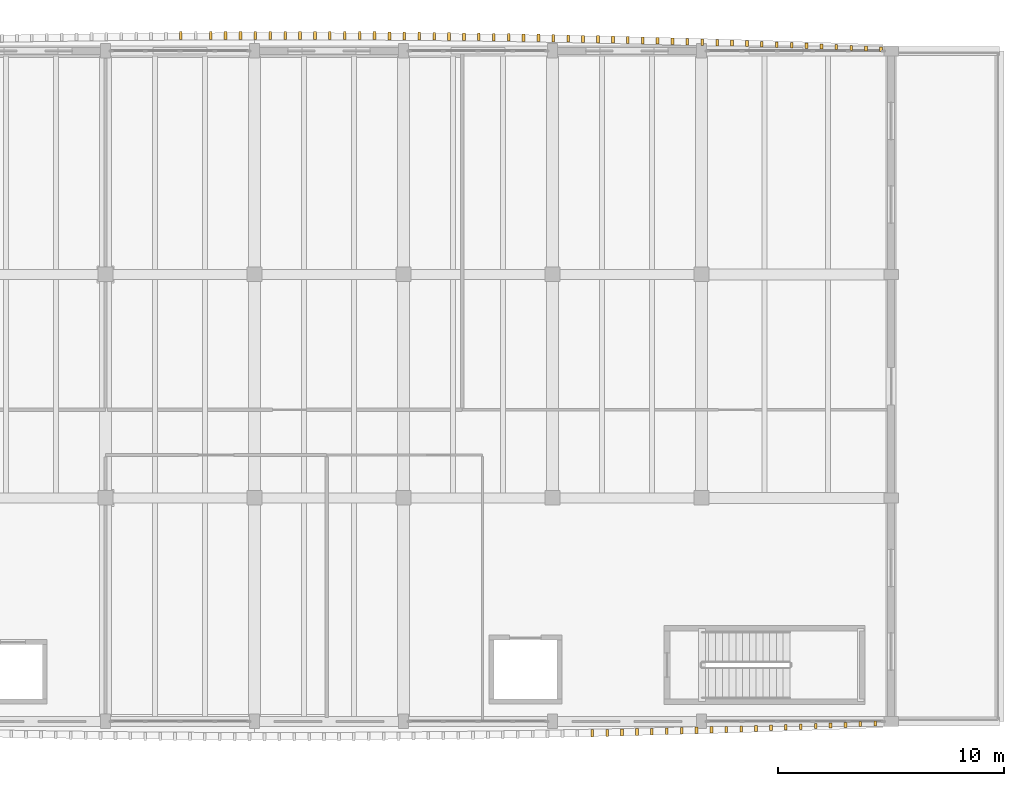
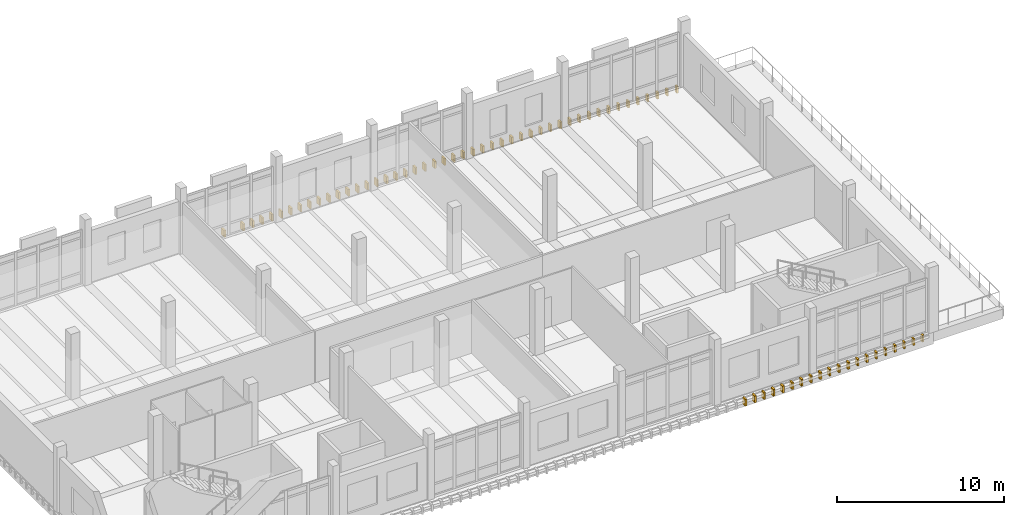
# One storey, part 39 of 39: 67 coverings.
"""IFC4 building model written with IfcOpenShell, lengths in metres."""

from ifc_helpers import new_model, si_unit, direction, frame, origin, origin_2d, place, context, subcontext, project, spatial, rectangle, extrude, material, layer, layer_set, type_object, element, save


model = new_model("IFC4")

# Units and contexts
model_context = context("Model", 3, precision=1e-05, world=origin(), true_north=direction((0.0, 1.0)))
body_context = subcontext(model_context, "Body", "Model", "MODEL_VIEW")
ifc_project = project(units=[si_unit("LENGTHUNIT", "METRE"), si_unit("AREAUNIT", "SQUARE_METRE"), si_unit("VOLUMEUNIT", "CUBIC_METRE"), si_unit("PLANEANGLEUNIT", "RADIAN"), si_unit("MASSUNIT", "GRAM", prefix="KILO")], contexts=[model_context])

# Site, building, storey
site_placement = place(None, origin())
site = spatial("IfcSite", under=ifc_project, at=site_placement, CompositionType="ELEMENT")
building_placement = place(site_placement, origin())
building = spatial("IfcBuilding", under=site, at=building_placement, Name="Dornvale Research Institute", CompositionType="ELEMENT")
storey_placement = place(building_placement, frame((0.0, 0.0, 24.60009765625)))
storey = spatial("IfcBuildingStorey", under=building, at=storey_placement, Name="L05", CompositionType="ELEMENT", Elevation=24.60009765625)

# Coverings
ifc_material = material(Name="Polychrome Glazed Terracotta Visor Rib Ceramic", Category="masonry")
ifc_layer = layer(ifc_material, 0.1201171875)
ifc_layer_set = layer_set([ifc_layer], Name="Polychrome Glazed Terracotta Visor Rib Ceramic")
covering_type = type_object("IfcCoveringType", Name="Covering_VisorBlade_Low", PredefinedType="CLADDING", material=ifc_layer_set)
covering_1_placement = place(storey_placement, frame((160.16162109375, 91.876953125, -0.489990234375), z_axis=(0.0, 0.0, 1.0), x_axis=(0.0, 1.0, 0.0)))
element("IfcCovering", 1, at=covering_1_placement, inside=storey, type_object=covering_type, Name="L05 V4 canted glazed terracotta visor blade #2873", PredefinedType="CLADDING", context=body_context, shape_type="SweptSolid", body=[
    extrude(rectangle(XDim=0.318115234375, YDim=0.1201171875, at=origin_2d()), origin(), (0.0, 0.0, 1.0), 0.5),
])
covering_2_placement = place(storey_placement, frame((160.821533203125, 91.893798828125, -0.489990234375), z_axis=(0.0, 0.0, 1.0), x_axis=(0.0, 1.0, 0.0)))
element("IfcCovering", 2, at=covering_2_placement, inside=storey, type_object=covering_type, Name="L05 V4 canted glazed terracotta visor blade #2874", PredefinedType="CLADDING", context=body_context, shape_type="SweptSolid", body=[
    extrude(rectangle(XDim=0.31298828125, YDim=0.1201171875, at=origin_2d()), origin(), (0.0, 0.0, 1.0), 0.5),
])
covering_3_placement = place(storey_placement, frame((161.481201171875, 91.910400390625, -0.489990234375), z_axis=(0.0, 0.0, 1.0), x_axis=(0.0, 1.0, 0.0)))
element("IfcCovering", 3, at=covering_3_placement, inside=storey, type_object=covering_type, Name="L05 V4 canted glazed terracotta visor blade #2875", PredefinedType="CLADDING", context=body_context, shape_type="SweptSolid", body=[
    extrude(rectangle(XDim=0.30908203125, YDim=0.1201171875, at=origin_2d()), origin(), (0.0, 0.0, 1.0), 0.5),
])
covering_4_placement = place(storey_placement, frame((162.14111328125, 91.927734375, -0.489990234375), z_axis=(0.0, 0.0, 1.0), x_axis=(0.0, 1.0, 0.0)))
element("IfcCovering", 4, at=covering_4_placement, inside=storey, type_object=covering_type, Name="L05 V4 canted glazed terracotta visor blade #2876", PredefinedType="CLADDING", context=body_context, shape_type="SweptSolid", body=[
    extrude(rectangle(XDim=0.304931640625, YDim=0.1201171875, at=origin_2d()), origin(), (0.0, 0.0, 1.0), 0.5),
])
covering_5_placement = place(storey_placement, frame((162.80078125, 91.9462890625, -0.489990234375), z_axis=(0.0, 0.0, 1.0), x_axis=(0.0, 1.0, 0.0)))
element("IfcCovering", 5, at=covering_5_placement, inside=storey, type_object=covering_type, Name="L05 V4 canted glazed terracotta visor blade #2877", PredefinedType="CLADDING", context=body_context, shape_type="SweptSolid", body=[
    extrude(rectangle(XDim=0.300048828125, YDim=0.1201171875, at=origin_2d()), origin(), (0.0, 0.0, 1.0), 0.5),
])
covering_6_placement = place(storey_placement, frame((163.460693359375, 91.96484375, -0.489990234375), z_axis=(0.0, 0.0, 1.0), x_axis=(0.0, 1.0, 0.0)))
element("IfcCovering", 6, at=covering_6_placement, inside=storey, type_object=covering_type, Name="L05 V4 canted glazed terracotta visor blade #2878", PredefinedType="CLADDING", context=body_context, shape_type="SweptSolid", body=[
    extrude(rectangle(XDim=0.294921875, YDim=0.1201171875, at=origin_2d()), origin(), (0.0, 0.0, 1.0), 0.5),
])
covering_7_placement = place(storey_placement, frame((164.12060546875, 91.985107421875, -0.489990234375), z_axis=(0.0, 0.0, 1.0), x_axis=(0.0, 1.0, 0.0)))
element("IfcCovering", 7, at=covering_7_placement, inside=storey, type_object=covering_type, Name="L05 V4 canted glazed terracotta visor blade #2879", PredefinedType="CLADDING", context=body_context, shape_type="SweptSolid", body=[
    extrude(rectangle(XDim=0.2900390625, YDim=0.1201171875, at=origin_2d()), origin(), (0.0, 0.0, 1.0), 0.5),
])
covering_8_placement = place(storey_placement, frame((164.7802734375, 92.00537109375, -0.489990234375), z_axis=(0.0, 0.0, 1.0), x_axis=(0.0, 1.0, 0.0)))
element("IfcCovering", 8, at=covering_8_placement, inside=storey, type_object=covering_type, Name="L05 V4 canted glazed terracotta visor blade #2880", PredefinedType="CLADDING", context=body_context, shape_type="SweptSolid", body=[
    extrude(rectangle(XDim=0.284912109375, YDim=0.1201171875, at=origin_2d()), origin(), (0.0, 0.0, 1.0), 0.5),
])
covering_9_placement = place(storey_placement, frame((165.43994140625, 92.0263671875, -0.489990234375), z_axis=(0.0, 0.0, 1.0), x_axis=(0.0, 1.0, 0.0)))
element("IfcCovering", 9, at=covering_9_placement, inside=storey, type_object=covering_type, Name="L05 V4 canted glazed terracotta visor blade #2881", PredefinedType="CLADDING", context=body_context, shape_type="SweptSolid", body=[
    extrude(rectangle(XDim=0.280029296875, YDim=0.1201171875, at=origin_2d()), origin(), (0.0, 0.0, 1.0), 0.5),
])
covering_10_placement = place(storey_placement, frame((166.099609375, 92.048583984375, -0.489990234375), z_axis=(0.0, 0.0, 1.0), x_axis=(0.0, 1.0, 0.0)))
element("IfcCovering", 10, at=covering_10_placement, inside=storey, type_object=covering_type, Name="L05 V4 canted glazed terracotta visor blade #2882", PredefinedType="CLADDING", context=body_context, shape_type="SweptSolid", body=[
    extrude(rectangle(XDim=0.27392578125, YDim=0.1201171875, at=origin_2d()), origin(), (0.0, 0.0, 1.0), 0.5),
])
covering_11_placement = place(storey_placement, frame((166.759521484375, 92.071044921875, -0.489990234375), z_axis=(0.0, 0.0, 1.0), x_axis=(0.0, 1.0, 0.0)))
element("IfcCovering", 11, at=covering_11_placement, inside=storey, type_object=covering_type, Name="L05 V4 canted glazed terracotta visor blade #2883", PredefinedType="CLADDING", context=body_context, shape_type="SweptSolid", body=[
    extrude(rectangle(XDim=0.26806640625, YDim=0.1201171875, at=origin_2d()), origin(), (0.0, 0.0, 1.0), 0.5),
])
covering_12_placement = place(storey_placement, frame((167.419189453125, 92.094970703125, -0.489990234375), z_axis=(0.0, 0.0, 1.0), x_axis=(0.0, 1.0, 0.0)))
element("IfcCovering", 12, at=covering_12_placement, inside=storey, type_object=covering_type, Name="L05 V4 canted glazed terracotta visor blade #2884", PredefinedType="CLADDING", context=body_context, shape_type="SweptSolid", body=[
    extrude(rectangle(XDim=0.261962890625, YDim=0.1201171875, at=origin_2d()), origin(), (0.0, 0.0, 1.0), 0.5),
])
covering_13_placement = place(storey_placement, frame((168.078857421875, 92.118896484375, -0.489990234375), z_axis=(0.0, 0.0, 1.0), x_axis=(0.0, 1.0, 0.0)))
element("IfcCovering", 13, at=covering_13_placement, inside=storey, type_object=covering_type, Name="L05 V4 canted glazed terracotta visor blade #2885", PredefinedType="CLADDING", context=body_context, shape_type="SweptSolid", body=[
    extrude(rectangle(XDim=0.256103515625, YDim=0.1201171875, at=origin_2d()), origin(), (0.0, 0.0, 1.0), 0.5),
])
covering_14_placement = place(storey_placement, frame((168.73828125, 92.1435546875, -0.489990234375), z_axis=(0.0, 0.0, 1.0), x_axis=(0.0, 1.0, 0.0)))
element("IfcCovering", 14, at=covering_14_placement, inside=storey, type_object=covering_type, Name="L05 V4 canted glazed terracotta visor blade #2886", PredefinedType="CLADDING", context=body_context, shape_type="SweptSolid", body=[
    extrude(rectangle(XDim=0.25, YDim=0.1201171875, at=origin_2d()), origin(), (0.0, 0.0, 1.0), 0.5),
])
covering_15_placement = place(storey_placement, frame((169.39794921875, 92.16943359375, -0.489990234375), z_axis=(0.0, 0.0, 1.0), x_axis=(0.0, 1.0, 0.0)))
element("IfcCovering", 15, at=covering_15_placement, inside=storey, type_object=covering_type, Name="L05 V4 canted glazed terracotta visor blade #2887", PredefinedType="CLADDING", context=body_context, shape_type="SweptSolid", body=[
    extrude(rectangle(XDim=0.242919921875, YDim=0.1201171875, at=origin_2d()), origin(), (0.0, 0.0, 1.0), 0.5),
])
covering_16_placement = place(storey_placement, frame((170.0576171875, 92.195068359375, -0.489990234375), z_axis=(0.0, 0.0, 1.0), x_axis=(0.0, 1.0, 0.0)))
element("IfcCovering", 16, at=covering_16_placement, inside=storey, type_object=covering_type, Name="L05 V4 canted glazed terracotta visor blade #2888", PredefinedType="CLADDING", context=body_context, shape_type="SweptSolid", body=[
    extrude(rectangle(XDim=0.237060546875, YDim=0.1201171875, at=origin_2d()), origin(), (0.0, 0.0, 1.0), 0.5),
])
covering_17_placement = place(storey_placement, frame((170.71728515625, 92.22265625, -0.489990234375), z_axis=(0.0, 0.0, 1.0), x_axis=(0.0, 1.0, 0.0)))
element("IfcCovering", 17, at=covering_17_placement, inside=storey, type_object=covering_type, Name="L05 V4 canted glazed terracotta visor blade #2889", PredefinedType="CLADDING", context=body_context, shape_type="SweptSolid", body=[
    extrude(rectangle(XDim=0.22998046875, YDim=0.1201171875, at=origin_2d()), origin(), (0.0, 0.0, 1.0), 0.5),
])
covering_18_placement = place(storey_placement, frame((171.376708984375, 92.25048828125, -0.489990234375), z_axis=(0.0, 0.0, 1.0), x_axis=(0.0, 1.0, 0.0)))
element("IfcCovering", 18, at=covering_18_placement, inside=storey, type_object=covering_type, Name="L05 V4 canted glazed terracotta visor blade #2890", PredefinedType="CLADDING", context=body_context, shape_type="SweptSolid", body=[
    extrude(rectangle(XDim=0.222900390625, YDim=0.1201171875, at=origin_2d()), origin(), (0.0, 0.0, 1.0), 0.5),
])
covering_19_placement = place(storey_placement, frame((172.036376953125, 92.27880859375, -0.489990234375), z_axis=(0.0, 0.0, 1.0), x_axis=(0.0, 1.0, 0.0)))
element("IfcCovering", 19, at=covering_19_placement, inside=storey, type_object=covering_type, Name="L05 V4 canted glazed terracotta visor blade #2891", PredefinedType="CLADDING", context=body_context, shape_type="SweptSolid", body=[
    extrude(rectangle(XDim=0.216064453125, YDim=0.1201171875, at=origin_2d()), origin(), (0.0, 0.0, 1.0), 0.5),
])
covering_20_placement = place(storey_placement, frame((172.69580078125, 92.30859375, -0.489990234375), z_axis=(0.0, 0.0, 1.0), x_axis=(0.0, 1.0, 0.0)))
element("IfcCovering", 20, at=covering_20_placement, inside=storey, type_object=covering_type, Name="L05 V4 canted glazed terracotta visor blade #2892", PredefinedType="CLADDING", context=body_context, shape_type="SweptSolid", body=[
    extrude(rectangle(XDim=0.2080078125, YDim=0.1201171875, at=origin_2d()), origin(), (0.0, 0.0, 1.0), 0.5),
])
covering_21_placement = place(storey_placement, frame((172.9501953125, 122.18017578125, -0.489990234375), z_axis=(0.0, 0.0, 1.0), x_axis=(0.0, 1.0, 0.0)))
element("IfcCovering", 21, at=covering_21_placement, inside=storey, type_object=covering_type, Name="L05 V4 canted glazed terracotta visor blade #2893", PredefinedType="CLADDING", context=body_context, shape_type="SweptSolid", body=[
    extrude(rectangle(XDim=0.205078125, YDim=0.1201171875, at=origin_2d()), origin(), (0.0, 0.0, 1.0), 0.5),
])
covering_22_placement = place(storey_placement, frame((172.290771484375, 122.209716796875, -0.489990234375), z_axis=(0.0, 0.0, 1.0), x_axis=(0.0, 1.0, 0.0)))
element("IfcCovering", 22, at=covering_22_placement, inside=storey, type_object=covering_type, Name="L05 V4 canted glazed terracotta visor blade #2894", PredefinedType="CLADDING", context=body_context, shape_type="SweptSolid", body=[
    extrude(rectangle(XDim=0.212890625, YDim=0.1201171875, at=origin_2d()), origin(), (0.0, 0.0, 1.0), 0.5),
])
covering_23_placement = place(storey_placement, frame((171.63134765625, 122.23876953125, -0.489990234375), z_axis=(0.0, 0.0, 1.0), x_axis=(0.0, 1.0, 0.0)))
element("IfcCovering", 23, at=covering_23_placement, inside=storey, type_object=covering_type, Name="L05 V4 canted glazed terracotta visor blade #2895", PredefinedType="CLADDING", context=body_context, shape_type="SweptSolid", body=[
    extrude(rectangle(XDim=0.219970703125, YDim=0.1201171875, at=origin_2d()), origin(), (0.0, 0.0, 1.0), 0.5),
])
covering_24_placement = place(storey_placement, frame((170.9716796875, 122.2666015625, -0.489990234375), z_axis=(0.0, 0.0, 1.0), x_axis=(0.0, 1.0, 0.0)))
element("IfcCovering", 24, at=covering_24_placement, inside=storey, type_object=covering_type, Name="L05 V4 canted glazed terracotta visor blade #2896", PredefinedType="CLADDING", context=body_context, shape_type="SweptSolid", body=[
    extrude(rectangle(XDim=0.22705078125, YDim=0.1201171875, at=origin_2d()), origin(), (0.0, 0.0, 1.0), 0.5),
])
covering_25_placement = place(storey_placement, frame((170.312255859375, 122.294189453125, -0.489990234375), z_axis=(0.0, 0.0, 1.0), x_axis=(0.0, 1.0, 0.0)))
element("IfcCovering", 25, at=covering_25_placement, inside=storey, type_object=covering_type, Name="L05 V4 canted glazed terracotta visor blade #2897", PredefinedType="CLADDING", context=body_context, shape_type="SweptSolid", body=[
    extrude(rectangle(XDim=0.23388671875, YDim=0.1201171875, at=origin_2d()), origin(), (0.0, 0.0, 1.0), 0.5),
])
covering_26_placement = place(storey_placement, frame((169.652587890625, 122.32080078125, -0.489990234375), z_axis=(0.0, 0.0, 1.0), x_axis=(0.0, 1.0, 0.0)))
element("IfcCovering", 26, at=covering_26_placement, inside=storey, type_object=covering_type, Name="L05 V4 canted glazed terracotta visor blade #2898", PredefinedType="CLADDING", context=body_context, shape_type="SweptSolid", body=[
    extrude(rectangle(XDim=0.240966796875, YDim=0.1201171875, at=origin_2d()), origin(), (0.0, 0.0, 1.0), 0.5),
])
covering_27_placement = place(storey_placement, frame((168.992919921875, 122.3466796875, -0.489990234375), z_axis=(0.0, 0.0, 1.0), x_axis=(0.0, 1.0, 0.0)))
element("IfcCovering", 27, at=covering_27_placement, inside=storey, type_object=covering_type, Name="L05 V4 canted glazed terracotta visor blade #2899", PredefinedType="CLADDING", context=body_context, shape_type="SweptSolid", body=[
    extrude(rectangle(XDim=0.248046875, YDim=0.1201171875, at=origin_2d()), origin(), (0.0, 0.0, 1.0), 0.5),
])
covering_28_placement = place(storey_placement, frame((168.33349609375, 122.3720703125, -0.489990234375), z_axis=(0.0, 0.0, 1.0), x_axis=(0.0, 1.0, 0.0)))
element("IfcCovering", 28, at=covering_28_placement, inside=storey, type_object=covering_type, Name="L05 V4 canted glazed terracotta visor blade #2900", PredefinedType="CLADDING", context=body_context, shape_type="SweptSolid", body=[
    extrude(rectangle(XDim=0.25390625, YDim=0.1201171875, at=origin_2d()), origin(), (0.0, 0.0, 1.0), 0.5),
])
covering_29_placement = place(storey_placement, frame((167.673583984375, 122.39599609375, -0.489990234375), z_axis=(0.0, 0.0, 1.0), x_axis=(0.0, 1.0, 0.0)))
element("IfcCovering", 29, at=covering_29_placement, inside=storey, type_object=covering_type, Name="L05 V4 canted glazed terracotta visor blade #2901", PredefinedType="CLADDING", context=body_context, shape_type="SweptSolid", body=[
    extrude(rectangle(XDim=0.260009765625, YDim=0.1201171875, at=origin_2d()), origin(), (0.0, 0.0, 1.0), 0.5),
])
covering_30_placement = place(storey_placement, frame((167.01416015625, 122.419921875, -0.489990234375), z_axis=(0.0, 0.0, 1.0), x_axis=(0.0, 1.0, 0.0)))
element("IfcCovering", 30, at=covering_30_placement, inside=storey, type_object=covering_type, Name="L05 V4 canted glazed terracotta visor blade #2902", PredefinedType="CLADDING", context=body_context, shape_type="SweptSolid", body=[
    extrude(rectangle(XDim=0.26611328125, YDim=0.1201171875, at=origin_2d()), origin(), (0.0, 0.0, 1.0), 0.5),
])
covering_31_placement = place(storey_placement, frame((166.3544921875, 122.44287109375, -0.489990234375), z_axis=(0.0, 0.0, 1.0), x_axis=(0.0, 1.0, 0.0)))
element("IfcCovering", 31, at=covering_31_placement, inside=storey, type_object=covering_type, Name="L05 V4 canted glazed terracotta visor blade #2903", PredefinedType="CLADDING", context=body_context, shape_type="SweptSolid", body=[
    extrude(rectangle(XDim=0.27197265625, YDim=0.1201171875, at=origin_2d()), origin(), (0.0, 0.0, 1.0), 0.5),
])
covering_32_placement = place(storey_placement, frame((165.694580078125, 122.465087890625, -0.489990234375), z_axis=(0.0, 0.0, 1.0), x_axis=(0.0, 1.0, 0.0)))
element("IfcCovering", 32, at=covering_32_placement, inside=storey, type_object=covering_type, Name="L05 V4 canted glazed terracotta visor blade #2904", PredefinedType="CLADDING", context=body_context, shape_type="SweptSolid", body=[
    extrude(rectangle(XDim=0.278076171875, YDim=0.1201171875, at=origin_2d()), origin(), (0.0, 0.0, 1.0), 0.5),
])
covering_33_placement = place(storey_placement, frame((165.034912109375, 122.48681640625, -0.489990234375), z_axis=(0.0, 0.0, 1.0), x_axis=(0.0, 1.0, 0.0)))
element("IfcCovering", 33, at=covering_33_placement, inside=storey, type_object=covering_type, Name="L05 V4 canted glazed terracotta visor blade #2905", PredefinedType="CLADDING", context=body_context, shape_type="SweptSolid", body=[
    extrude(rectangle(XDim=0.282958984375, YDim=0.1201171875, at=origin_2d()), origin(), (0.0, 0.0, 1.0), 0.5),
])
covering_34_placement = place(storey_placement, frame((164.375244140625, 122.507080078125, -0.489990234375), z_axis=(0.0, 0.0, 1.0), x_axis=(0.0, 1.0, 0.0)))
element("IfcCovering", 34, at=covering_34_placement, inside=storey, type_object=covering_type, Name="L05 V4 canted glazed terracotta visor blade #2906", PredefinedType="CLADDING", context=body_context, shape_type="SweptSolid", body=[
    extrude(rectangle(XDim=0.2880859375, YDim=0.1201171875, at=origin_2d()), origin(), (0.0, 0.0, 1.0), 0.5),
])
covering_35_placement = place(storey_placement, frame((163.71533203125, 122.52734375, -0.489990234375), z_axis=(0.0, 0.0, 1.0), x_axis=(0.0, 1.0, 0.0)))
element("IfcCovering", 35, at=covering_35_placement, inside=storey, type_object=covering_type, Name="L05 V4 canted glazed terracotta visor blade #2907", PredefinedType="CLADDING", context=body_context, shape_type="SweptSolid", body=[
    extrude(rectangle(XDim=0.29296875, YDim=0.1201171875, at=origin_2d()), origin(), (0.0, 0.0, 1.0), 0.5),
])
covering_36_placement = place(storey_placement, frame((163.0556640625, 122.54638671875, -0.489990234375), z_axis=(0.0, 0.0, 1.0), x_axis=(0.0, 1.0, 0.0)))
element("IfcCovering", 36, at=covering_36_placement, inside=storey, type_object=covering_type, Name="L05 V4 canted glazed terracotta visor blade #2908", PredefinedType="CLADDING", context=body_context, shape_type="SweptSolid", body=[
    extrude(rectangle(XDim=0.298095703125, YDim=0.1201171875, at=origin_2d()), origin(), (0.0, 0.0, 1.0), 0.5),
])
covering_37_placement = place(storey_placement, frame((162.395751953125, 122.565185546875, -0.489990234375), z_axis=(0.0, 0.0, 1.0), x_axis=(0.0, 1.0, 0.0)))
element("IfcCovering", 37, at=covering_37_placement, inside=storey, type_object=covering_type, Name="L05 V4 canted glazed terracotta visor blade #2909", PredefinedType="CLADDING", context=body_context, shape_type="SweptSolid", body=[
    extrude(rectangle(XDim=0.302978515625, YDim=0.1201171875, at=origin_2d()), origin(), (0.0, 0.0, 1.0), 0.5),
])
covering_38_placement = place(storey_placement, frame((161.736083984375, 122.58349609375, -0.489990234375), z_axis=(0.0, 0.0, 1.0), x_axis=(0.0, 1.0, 0.0)))
element("IfcCovering", 38, at=covering_38_placement, inside=storey, type_object=covering_type, Name="L05 V4 canted glazed terracotta visor blade #2910", PredefinedType="CLADDING", context=body_context, shape_type="SweptSolid", body=[
    extrude(rectangle(XDim=0.30810546875, YDim=0.1201171875, at=origin_2d()), origin(), (0.0, 0.0, 1.0), 0.5),
])
covering_39_placement = place(storey_placement, frame((161.076171875, 122.60009765625, -0.489990234375), z_axis=(0.0, 0.0, 1.0), x_axis=(0.0, 1.0, 0.0)))
element("IfcCovering", 39, at=covering_39_placement, inside=storey, type_object=covering_type, Name="L05 V4 canted glazed terracotta visor blade #2911", PredefinedType="CLADDING", context=body_context, shape_type="SweptSolid", body=[
    extrude(rectangle(XDim=0.31201171875, YDim=0.1201171875, at=origin_2d()), origin(), (0.0, 0.0, 1.0), 0.5),
])
covering_40_placement = place(storey_placement, frame((160.416259765625, 122.616455078125, -0.489990234375), z_axis=(0.0, 0.0, 1.0), x_axis=(0.0, 1.0, 0.0)))
element("IfcCovering", 40, at=covering_40_placement, inside=storey, type_object=covering_type, Name="L05 V4 canted glazed terracotta visor blade #2912", PredefinedType="CLADDING", context=body_context, shape_type="SweptSolid", body=[
    extrude(rectangle(XDim=0.31591796875, YDim=0.1201171875, at=origin_2d()), origin(), (0.0, 0.0, 1.0), 0.5),
])
covering_41_placement = place(storey_placement, frame((159.75634765625, 122.632080078125, -0.489990234375), z_axis=(0.0, 0.0, 1.0), x_axis=(0.0, 1.0, 0.0)))
element("IfcCovering", 41, at=covering_41_placement, inside=storey, type_object=covering_type, Name="L05 V4 canted glazed terracotta visor blade #2913", PredefinedType="CLADDING", context=body_context, shape_type="SweptSolid", body=[
    extrude(rectangle(XDim=0.320068359375, YDim=0.1201171875, at=origin_2d()), origin(), (0.0, 0.0, 1.0), 0.5),
])
covering_42_placement = place(storey_placement, frame((159.0966796875, 122.64697265625, -0.489990234375), z_axis=(0.0, 0.0, 1.0), x_axis=(0.0, 1.0, 0.0)))
element("IfcCovering", 42, at=covering_42_placement, inside=storey, type_object=covering_type, Name="L05 V4 canted glazed terracotta visor blade #2914", PredefinedType="CLADDING", context=body_context, shape_type="SweptSolid", body=[
    extrude(rectangle(XDim=0.323974609375, YDim=0.1201171875, at=origin_2d()), origin(), (0.0, 0.0, 1.0), 0.5),
])
covering_43_placement = place(storey_placement, frame((158.436767578125, 122.6611328125, -0.489990234375), z_axis=(0.0, 0.0, 1.0), x_axis=(0.0, 1.0, 0.0)))
element("IfcCovering", 43, at=covering_43_placement, inside=storey, type_object=covering_type, Name="L05 V4 canted glazed terracotta visor blade #2915", PredefinedType="CLADDING", context=body_context, shape_type="SweptSolid", body=[
    extrude(rectangle(XDim=0.326904296875, YDim=0.1201171875, at=origin_2d()), origin(), (0.0, 0.0, 1.0), 0.5),
])
covering_44_placement = place(storey_placement, frame((157.77685546875, 122.67431640625, -0.489990234375), z_axis=(0.0, 0.0, 1.0), x_axis=(0.0, 1.0, 0.0)))
element("IfcCovering", 44, at=covering_44_placement, inside=storey, type_object=covering_type, Name="L05 V4 canted glazed terracotta visor blade #2916", PredefinedType="CLADDING", context=body_context, shape_type="SweptSolid", body=[
    extrude(rectangle(XDim=0.3310546875, YDim=0.1201171875, at=origin_2d()), origin(), (0.0, 0.0, 1.0), 0.5),
])
covering_45_placement = place(storey_placement, frame((157.116943359375, 122.68701171875, -0.489990234375), z_axis=(0.0, 0.0, 1.0), x_axis=(0.0, 1.0, 0.0)))
element("IfcCovering", 45, at=covering_45_placement, inside=storey, type_object=covering_type, Name="L05 V4 canted glazed terracotta visor blade #2917", PredefinedType="CLADDING", context=body_context, shape_type="SweptSolid", body=[
    extrude(rectangle(XDim=0.333984375, YDim=0.1201171875, at=origin_2d()), origin(), (0.0, 0.0, 1.0), 0.5),
])
covering_46_placement = place(storey_placement, frame((156.45703125, 122.698974609375, -0.489990234375), z_axis=(0.0, 0.0, 1.0), x_axis=(0.0, 1.0, 0.0)))
element("IfcCovering", 46, at=covering_46_placement, inside=storey, type_object=covering_type, Name="L05 V4 canted glazed terracotta visor blade #2918", PredefinedType="CLADDING", context=body_context, shape_type="SweptSolid", body=[
    extrude(rectangle(XDim=0.3369140625, YDim=0.1201171875, at=origin_2d()), origin(), (0.0, 0.0, 1.0), 0.5),
])
covering_47_placement = place(storey_placement, frame((155.797119140625, 122.710205078125, -0.489990234375), z_axis=(0.0, 0.0, 1.0), x_axis=(0.0, 1.0, 0.0)))
element("IfcCovering", 47, at=covering_47_placement, inside=storey, type_object=covering_type, Name="L05 V4 canted glazed terracotta visor blade #2919", PredefinedType="CLADDING", context=body_context, shape_type="SweptSolid", body=[
    extrude(rectangle(XDim=0.340087890625, YDim=0.1201171875, at=origin_2d()), origin(), (0.0, 0.0, 1.0), 0.5),
])
covering_48_placement = place(storey_placement, frame((155.13720703125, 122.720703125, -0.489990234375), z_axis=(0.0, 0.0, 1.0), x_axis=(0.0, 1.0, 0.0)))
element("IfcCovering", 48, at=covering_48_placement, inside=storey, type_object=covering_type, Name="L05 V4 canted glazed terracotta visor blade #2920", PredefinedType="CLADDING", context=body_context, shape_type="SweptSolid", body=[
    extrude(rectangle(XDim=0.342041015625, YDim=0.1201171875, at=origin_2d()), origin(), (0.0, 0.0, 1.0), 0.5),
])
covering_49_placement = place(storey_placement, frame((154.477294921875, 122.730224609375, -0.489990234375), z_axis=(0.0, 0.0, 1.0), x_axis=(0.0, 1.0, 0.0)))
element("IfcCovering", 49, at=covering_49_placement, inside=storey, type_object=covering_type, Name="L05 V4 canted glazed terracotta visor blade #2921", PredefinedType="CLADDING", context=body_context, shape_type="SweptSolid", body=[
    extrude(rectangle(XDim=0.344970703125, YDim=0.1201171875, at=origin_2d()), origin(), (0.0, 0.0, 1.0), 0.5),
])
covering_50_placement = place(storey_placement, frame((153.817138671875, 122.7392578125, -0.489990234375), z_axis=(0.0, 0.0, 1.0), x_axis=(0.0, 1.0, 0.0)))
element("IfcCovering", 50, at=covering_50_placement, inside=storey, type_object=covering_type, Name="L05 V4 canted glazed terracotta visor blade #2922", PredefinedType="CLADDING", context=body_context, shape_type="SweptSolid", body=[
    extrude(rectangle(XDim=0.346923828125, YDim=0.1201171875, at=origin_2d()), origin(), (0.0, 0.0, 1.0), 0.5),
])
covering_51_placement = place(storey_placement, frame((153.1572265625, 122.747314453125, -0.489990234375), z_axis=(0.0, 0.0, 1.0), x_axis=(0.0, 1.0, 0.0)))
element("IfcCovering", 51, at=covering_51_placement, inside=storey, type_object=covering_type, Name="L05 V4 canted glazed terracotta visor blade #2923", PredefinedType="CLADDING", context=body_context, shape_type="SweptSolid", body=[
    extrude(rectangle(XDim=0.34912109375, YDim=0.1201171875, at=origin_2d()), origin(), (0.0, 0.0, 1.0), 0.5),
])
covering_52_placement = place(storey_placement, frame((152.497314453125, 122.7548828125, -0.489990234375), z_axis=(0.0, 0.0, 1.0), x_axis=(0.0, 1.0, 0.0)))
element("IfcCovering", 52, at=covering_52_placement, inside=storey, type_object=covering_type, Name="L05 V4 canted glazed terracotta visor blade #2924", PredefinedType="CLADDING", context=body_context, shape_type="SweptSolid", body=[
    extrude(rectangle(XDim=0.35107421875, YDim=0.1201171875, at=origin_2d()), origin(), (0.0, 0.0, 1.0), 0.5),
])
covering_53_placement = place(storey_placement, frame((151.83740234375, 122.76220703125, -0.489990234375), z_axis=(0.0, 0.0, 1.0), x_axis=(0.0, 1.0, 0.0)))
element("IfcCovering", 53, at=covering_53_placement, inside=storey, type_object=covering_type, Name="L05 V4 canted glazed terracotta visor blade #2925", PredefinedType="CLADDING", context=body_context, shape_type="SweptSolid", body=[
    extrude(rectangle(XDim=0.35302734375, YDim=0.1201171875, at=origin_2d()), origin(), (0.0, 0.0, 1.0), 0.5),
])
covering_54_placement = place(storey_placement, frame((151.17724609375, 122.767578125, -0.489990234375), z_axis=(0.0, 0.0, 1.0), x_axis=(0.0, 1.0, 0.0)))
element("IfcCovering", 54, at=covering_54_placement, inside=storey, type_object=covering_type, Name="L05 V4 canted glazed terracotta visor blade #2926", PredefinedType="CLADDING", context=body_context, shape_type="SweptSolid", body=[
    extrude(rectangle(XDim=0.35400390625, YDim=0.1201171875, at=origin_2d()), origin(), (0.0, 0.0, 1.0), 0.5),
])
covering_55_placement = place(storey_placement, frame((150.517333984375, 122.773193359375, -0.489990234375), z_axis=(0.0, 0.0, 1.0), x_axis=(0.0, 1.0, 0.0)))
element("IfcCovering", 55, at=covering_55_placement, inside=storey, type_object=covering_type, Name="L05 V4 canted glazed terracotta visor blade #2927", PredefinedType="CLADDING", context=body_context, shape_type="SweptSolid", body=[
    extrude(rectangle(XDim=0.35595703125, YDim=0.1201171875, at=origin_2d()), origin(), (0.0, 0.0, 1.0), 0.5),
])
covering_56_placement = place(storey_placement, frame((149.857421875, 122.77783203125, -0.489990234375), z_axis=(0.0, 0.0, 1.0), x_axis=(0.0, 1.0, 0.0)))
element("IfcCovering", 56, at=covering_56_placement, inside=storey, type_object=covering_type, Name="L05 V4 canted glazed terracotta visor blade #2928", PredefinedType="CLADDING", context=body_context, shape_type="SweptSolid", body=[
    extrude(rectangle(XDim=0.35693359375, YDim=0.1201171875, at=origin_2d()), origin(), (0.0, 0.0, 1.0), 0.5),
])
covering_57_placement = place(storey_placement, frame((149.197509765625, 122.781494140625, -0.489990234375), z_axis=(0.0, 0.0, 1.0), x_axis=(0.0, 1.0, 0.0)))
element("IfcCovering", 57, at=covering_57_placement, inside=storey, type_object=covering_type, Name="L05 V4 canted glazed terracotta visor blade #2929", PredefinedType="CLADDING", context=body_context, shape_type="SweptSolid", body=[
    extrude(rectangle(XDim=0.35791015625, YDim=0.1201171875, at=origin_2d()), origin(), (0.0, 0.0, 1.0), 0.5),
])
for number, where, z_axis, x_axis, name in (
    (58, (148.537353515625, 122.78515625, -0.489990234375), (0.0, 0.0, 1.0), (0.0, 1.0, 0.0), "L05 V4 canted glazed terracotta visor blade #2930"),
    (59, (147.87744140625, 122.78662109375, -0.489990234375), (0.0, 0.0, 1.0), (0.0, 1.0, 0.0), "L05 V4 canted glazed terracotta visor blade #2931"),
):
    element("IfcCovering", number, at=place(storey_placement, frame(where, z_axis=z_axis, x_axis=x_axis)), inside=storey, type_object=covering_type, Name=name, PredefinedType="CLADDING", context=body_context, shape_type="SweptSolid", body=[
        extrude(rectangle(XDim=0.35888671875, YDim=0.1201171875, at=origin_2d()), origin(), (0.0, 0.0, 1.0), 0.5),
    ])
for number, where, z_axis, x_axis, name in (
    (60, (147.21728515625, 122.788818359375, -0.489990234375), (0.0, 0.0, 1.0), (0.0, 1.0, 0.0), "L05 V4 canted glazed terracotta visor blade #2932"),
    (61, (146.557373046875, 122.78955078125, -0.489990234375), (0.0, 0.0, 1.0), (0.0, 1.0, 0.0), "L05 V4 canted glazed terracotta visor blade #2933"),
    (62, (145.8974609375, 122.78955078125, -0.489990234375), (0.0, 0.0, 1.0), (0.0, 1.0, 0.0), "L05 V4 canted glazed terracotta visor blade #2934"),
    (63, (145.2373046875, 122.789306640625, -0.489990234375), (0.0, 0.0, 1.0), (0.0, 1.0, 0.0), "L05 V4 canted glazed terracotta visor blade #2935"),
    (64, (144.577392578125, 122.787841796875, -0.489990234375), (0.0, 0.0, 1.0), (0.0, 1.0, 0.0), "L05 V4 canted glazed terracotta visor blade #2936"),
):
    element("IfcCovering", number, at=place(storey_placement, frame(where, z_axis=z_axis, x_axis=x_axis)), inside=storey, type_object=covering_type, Name=name, PredefinedType="CLADDING", context=body_context, shape_type="SweptSolid", body=[
        extrude(rectangle(XDim=0.360107421875, YDim=0.1201171875, at=origin_2d()), origin(), (0.0, 0.0, 1.0), 0.5),
    ])
covering_58_placement = place(storey_placement, frame((143.91748046875, 122.78564453125, -0.489990234375), z_axis=(0.0, 0.0, 1.0), x_axis=(0.0, 1.0, 0.0)))
element("IfcCovering", 65, at=covering_58_placement, inside=storey, type_object=covering_type, Name="L05 V4 canted glazed terracotta visor blade #2937", PredefinedType="CLADDING", context=body_context, shape_type="SweptSolid", body=[
    extrude(rectangle(XDim=0.35888671875, YDim=0.1201171875, at=origin_2d()), origin(), (0.0, 0.0, 1.0), 0.5),
])
covering_59_placement = place(storey_placement, frame((143.25732421875, 122.78271484375, -0.489990234375), z_axis=(0.0, 0.0, 1.0), x_axis=(0.0, 1.0, 0.0)))
element("IfcCovering", 66, at=covering_59_placement, inside=storey, type_object=covering_type, Name="L05 V4 canted glazed terracotta visor blade #2938", PredefinedType="CLADDING", context=body_context, shape_type="SweptSolid", body=[
    extrude(rectangle(XDim=0.35791015625, YDim=0.1201171875, at=origin_2d()), origin(), (0.0, 0.0, 1.0), 0.5),
])
covering_60_placement = place(storey_placement, frame((141.9375, 122.775146484375, -0.489990234375), z_axis=(0.0, 0.0, 1.0), x_axis=(0.0, 1.0, 0.0)))
element("IfcCovering", 67, at=covering_60_placement, inside=storey, type_object=covering_type, Name="L05 V4 canted glazed terracotta visor blade #2940", PredefinedType="CLADDING", context=body_context, shape_type="SweptSolid", body=[
    extrude(rectangle(XDim=0.35595703125, YDim=0.1201171875, at=origin_2d()), origin(), (0.0, 0.0, 1.0), 0.5),
])

save(model, "model.ifc")
